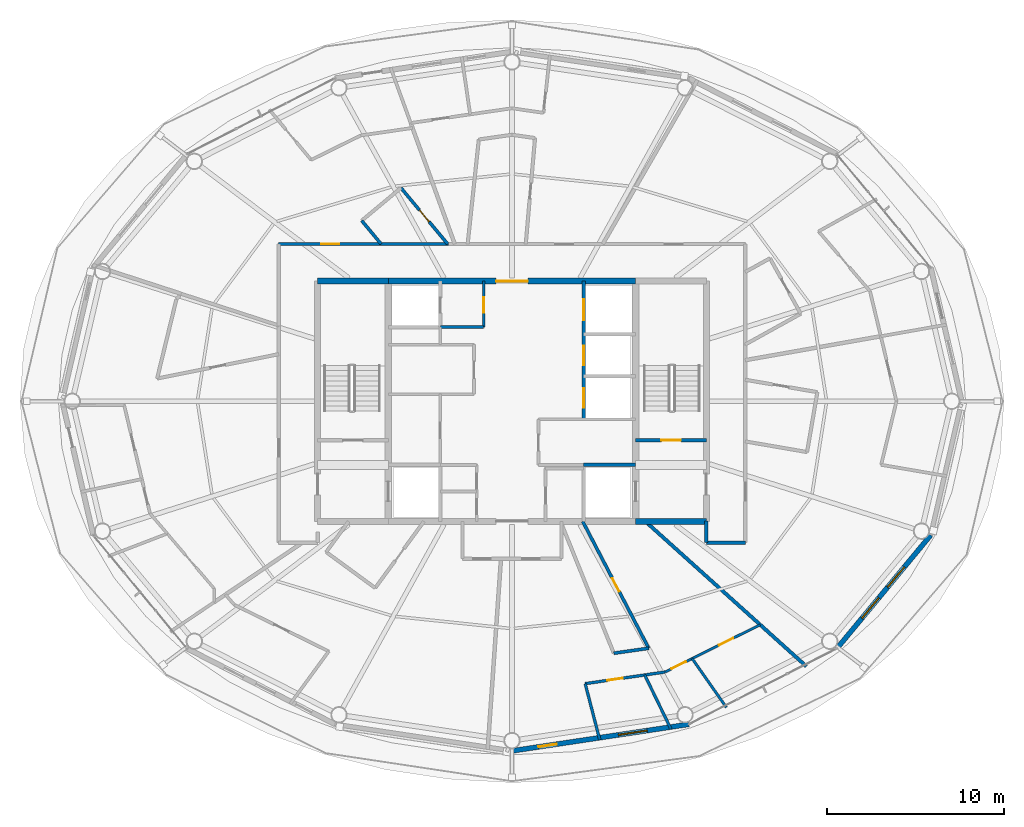
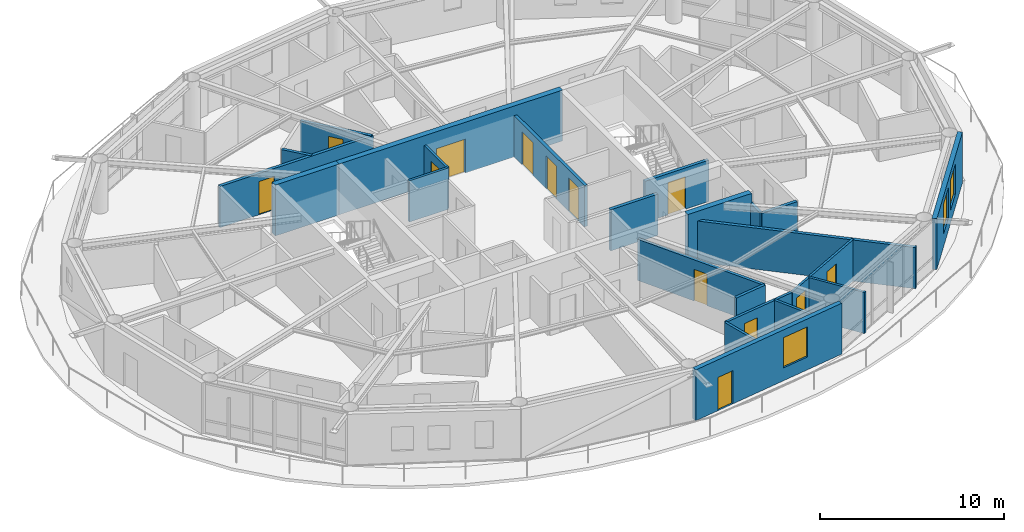
# One storey, part 17 of 22: 23 walls, 13 doors, 3 windows, 16 openings.
"""IFC4 building model written with IfcOpenShell, lengths in metres."""

from ifc_helpers import new_model, si_unit, direction, frame, frame_2d, origin, place, context, subcontext, project, spatial, rectangle, extrude, material, layer, layer_set, type_object, element, fill, save


model = new_model("IFC4")

# Units and contexts
model_context = context("Model", 3, precision=1e-05, world=origin(), true_north=direction((0.0, 1.0)))
body_context = subcontext(model_context, "Body", "Model", "MODEL_VIEW")
ifc_project = project(units=[si_unit("LENGTHUNIT", "METRE"), si_unit("AREAUNIT", "SQUARE_METRE"), si_unit("VOLUMEUNIT", "CUBIC_METRE"), si_unit("PLANEANGLEUNIT", "RADIAN"), si_unit("MASSUNIT", "GRAM", prefix="KILO")], contexts=[model_context])

# Site, building, storey
site_placement = place(None, origin())
site = spatial("IfcSite", under=ifc_project, at=site_placement, CompositionType="ELEMENT")
building_placement = place(site_placement, origin())
building = spatial("IfcBuilding", under=site, at=building_placement, Name="Sarneth Arch Tower", CompositionType="ELEMENT")
storey_placement = place(building_placement, frame((0.0, 0.0, 294.60009765625)))
storey = spatial("IfcBuildingStorey", under=building, at=storey_placement, Name="L76", CompositionType="ELEMENT", Elevation=294.60009765625)

# Walls
ifc_material_1 = material(Name="Concrete C50/60", Category="concrete")
ifc_layer_1 = layer(ifc_material_1, 0.35009765625)
ifc_layer_set_1 = layer_set([ifc_layer_1], Name="Concrete C50/60")
wall_type_1 = type_object("IfcWallType", Name="WALL-CORE-350", PredefinedType="SHEAR", material=ifc_layer_set_1)
for number, where, z_axis, x_axis, name in (
    (1, (55.0, 35.199951171875, 0.0), (0.0, 0.0, 1.0), (1.0, 0.0, 0.0), "L76 Core shear wall S-E"),
    (2, (37.0, 48.800048828125, 0.0), (0.0, 0.0, 1.0), (1.0, 0.0, 0.0), "L76 Core shear wall N-W"),
):
    element("IfcWall", number, at=place(storey_placement, frame(where, z_axis=z_axis, x_axis=x_axis)), inside=storey, type_object=wall_type_1, Name=name, PredefinedType="SHEAR", context=body_context, shape_type="SweptSolid", body=[
        extrude(rectangle(XDim=4.0, YDim=0.35009765625, at=frame_2d((2.0, 0.0))), origin(), (0.0, 0.0, 1.0), 3.369873046875),
    ])

# Wall, opening, door
wall_1_placement = place(storey_placement, frame((41.0, 48.800048828125, 0.0), z_axis=(0.0, 0.0, 1.0), x_axis=(1.0, 0.0, 0.0)))
wall_1 = element("IfcWall", 3, at=wall_1_placement, inside=storey, type_object=wall_type_1, Name="L76 Core shear wall N-M", PredefinedType="SHEAR", context=body_context, shape_type="SweptSolid", body=[
    extrude(rectangle(XDim=14.0, YDim=0.35009765625, at=frame_2d((7.0, 0.0))), origin(), (0.0, 0.0, 1.0), 3.369873046875),
])
opening_1_placement = place(wall_1_placement, frame((6.10009765625, 0.0, 0.0)))
opening_1 = element("IfcOpeningElement", 4, at=opening_1_placement, cuts=wall_1, Name="Opening FD-01", PredefinedType="OPENING", context=body_context, shape_type="SweptSolid", body=[
    extrude(rectangle(XDim=1.800048828125, YDim=2.25, at=frame_2d((0.89990234375, 1.125))), frame((0.0, 0.18505859375, 0.0), z_axis=(0.0, -1.0, 0.0), x_axis=(1.0, 0.0, 0.0)), (0.0, 0.0, 1.0), 0.3701171875),
])
ifc_material_2 = material(Name="Galvanised Steel S275 fire door set", Category="steel")
door_type_1 = type_object("IfcDoorType", Name="DR-FD90-1800", OperationType="DOUBLE_DOOR_SINGLE_SWING", PredefinedType="DOOR", material=ifc_material_2)
door_1_placement = place(opening_1_placement, origin())
door_1 = element("IfcDoor", 5, at=door_1_placement, inside=storey, type_object=door_type_1, Name="L76 Central lift lobby north door", OperationType="DOUBLE_DOOR_SINGLE_SWING", OverallHeight=2.25, OverallWidth=1.800048828125, PredefinedType="DOOR", context=body_context, shape_type="SweptSolid", body=[
    extrude(rectangle(XDim=1.800048828125, YDim=2.25, at=frame_2d((0.89990234375, 1.125))), frame((0.0, 0.02490234375, 0.0), z_axis=(0.0, -1.0, 0.0), x_axis=(1.0, 0.0, 0.0)), (0.0, 0.0, 1.0), 0.050048828125),
])
fill(opening_1, door_1)

ifc_material_3 = material(Name="Double steel-stud corridor fire wall", Category="steel")
ifc_layer_2 = layer(ifc_material_3, 0.18994140625)
ifc_layer_set_2 = layer_set([ifc_layer_2], Name="Double steel-stud corridor fire wall")
wall_type_2 = type_object("IfcWallType", Name="WALL-CORR-190", PredefinedType="PARTITIONING", material=ifc_layer_set_2)
wall_2_placement = place(storey_placement, frame((34.800048828125, 50.89990234375, 0.0), z_axis=(0.0, 0.0, 1.0), x_axis=(1.0, 0.0, 0.0)))
wall_2 = element("IfcWall", 6, at=wall_2_placement, inside=storey, type_object=wall_type_2, Name="L76 Interior partition W-L76-TP-009", PredefinedType="PARTITIONING", context=body_context, shape_type="SweptSolid", body=[
    extrude(rectangle(XDim=9.6005859375, YDim=0.18994140625, at=frame_2d((4.80029296875, 0.0))), origin(), (0.0, 0.0, 1.0), 2.72998046875),
])
opening_2_placement = place(wall_2_placement, frame((2.41845703125, 0.0, 0.0)))
opening_2 = element("IfcOpeningElement", 7, at=opening_2_placement, cuts=wall_2, Name="Opening FD-08", PredefinedType="OPENING", context=body_context, shape_type="SweptSolid", body=[
    extrude(rectangle(XDim=1.0, YDim=2.199951171875, at=frame_2d((0.5, 1.10009765625))), frame((0.0, 0.10498046875, 0.0), z_axis=(0.0, -1.0, 0.0), x_axis=(1.0, 0.0, 0.0)), (0.0, 0.0, 1.0), 0.2099609375),
])
ifc_material_4 = material(Name="Hardwood timber acoustic fire door", Category="wood")
door_type_2 = type_object("IfcDoorType", Name="DR-FD60-1000", OperationType="SINGLE_SWING_LEFT", PredefinedType="DOOR", material=ifc_material_4)
door_2_placement = place(opening_2_placement, origin())
door_2 = element("IfcDoor", 8, at=door_2_placement, inside=storey, type_object=door_type_2, Name="L76 Interior door DR-L76-U3-ENT", OperationType="SINGLE_SWING_RIGHT", OverallHeight=2.199951171875, OverallWidth=1.0, PredefinedType="DOOR", context=body_context, shape_type="SweptSolid", body=[
    extrude(rectangle(XDim=1.0, YDim=2.199951171875, at=frame_2d((0.5, 1.10009765625))), frame((0.0, 0.02490234375, 0.0), z_axis=(0.0, -1.0, 0.0), x_axis=(1.0, 0.0, 0.0)), (0.0, 0.0, 1.0), 0.050048828125),
])
fill(opening_2, door_2)

# Walls
wall_3_placement = place(storey_placement, frame((61.199951171875, 34.0, 0.0), z_axis=(0.0, 0.0, 1.0), x_axis=(-1.0, 0.0, 0.0)))
element("IfcWall", 9, at=wall_3_placement, inside=storey, type_object=wall_type_2, Name="L76 Interior partition W-L76-TP-018", PredefinedType="PARTITIONING", context=body_context, shape_type="SweptSolid", body=[
    extrude(rectangle(XDim=2.199951171875, YDim=0.18994140625, at=frame_2d((1.10009765625, 0.0))), origin(), (0.0, 0.0, 1.0), 2.72998046875),
])
wall_4_placement = place(storey_placement, frame((59.0, 34.0, 0.0), z_axis=(0.0, 0.0, 1.0), x_axis=(0.0, 1.0, 0.0)))
element("IfcWall", 10, at=wall_4_placement, inside=storey, type_object=wall_type_2, Name="L76 Interior partition W-L76-TP-019", PredefinedType="PARTITIONING", context=body_context, shape_type="SweptSolid", body=[
    extrude(rectangle(XDim=1.23193359375, YDim=0.18994140625, at=frame_2d((0.615966796875, 0.0))), origin(), (0.0, 0.0, 1.0), 2.72998046875),
])

# Wall, openings, door, window
ifc_material_5 = material(Name="Extruded terracotta rainscreen on Concrete C40/50 backing", Category="masonry")
ifc_layer_3 = layer(ifc_material_5, 0.280029296875)
ifc_layer_set_3 = layer_set([ifc_layer_3], Name="Extruded terracotta rainscreen on Concrete C40/50 backing")
wall_type_3 = type_object("IfcWallType", Name="WALL-EXT-TERRA-280", PredefinedType="SOLIDWALL", material=ifc_layer_set_3)
wall_5_placement = place(storey_placement, frame((48.0, 22.219970703125, 0.0), z_axis=(0.0, 0.0, 1.0), x_axis=(0.988882522213, 0.148698881169, 0.0)))
wall_5 = element("IfcWall", 11, at=wall_5_placement, inside=storey, type_object=wall_type_3, Name="L76 Terracotta perimeter wall 13", PredefinedType="SOLIDWALL", context=body_context, shape_type="SweptSolid", body=[
    extrude(rectangle(XDim=10.125244140625, YDim=0.280029296875, at=frame_2d((5.0625, 0.0))), origin(), (0.0, 0.0, 1.0), 3.369873046875),
])
opening_3_placement = place(wall_5_placement, frame((1.51611328125, 0.0, 0.0)))
opening_3 = element("IfcOpeningElement", 12, at=opening_3_placement, cuts=wall_5, Name="Opening BD-4", PredefinedType="OPENING", context=body_context, shape_type="SweptSolid", body=[
    extrude(rectangle(XDim=1.050048828125, YDim=2.199951171875, at=frame_2d((0.52490234375, 1.10009765625))), frame((0.0, 0.14990234375, 0.0), z_axis=(0.0, -1.0, 0.0), x_axis=(1.0, 0.0, 0.0)), (0.0, 0.0, 1.0), 0.300048828125),
])
opening_4_placement = place(wall_5_placement, frame((6.093994140625, 0.0, 0.85009765625)))
opening_4 = element("IfcOpeningElement", 13, at=opening_4_placement, cuts=wall_5, Name="Opening W-05", PredefinedType="OPENING", context=body_context, shape_type="SweptSolid", body=[
    extrude(rectangle(XDim=1.64990234375, YDim=2.0, at=frame_2d((0.824951171875, 1.0))), frame((0.0, 0.14990234375, 0.0), z_axis=(0.0, -1.0, 0.0), x_axis=(1.0, 0.0, 0.0)), (0.0, 0.0, 1.0), 0.300048828125),
])
ifc_material_6 = material(Name="Thermally broken Aluminium 6063-T6 and laminated safety glass", Category="aluminium")
door_type_3 = type_object("IfcDoorType", Name="DR-BALC-GLZ-1050", OperationType="SINGLE_SWING_RIGHT", PredefinedType="DOOR", material=ifc_material_6)
door_3_placement = place(opening_3_placement, origin())
door_3 = element("IfcDoor", 14, at=door_3_placement, inside=storey, type_object=door_type_3, Name="L76 Balcony glazed door 13", OperationType="SINGLE_SWING_RIGHT", OverallHeight=2.199951171875, OverallWidth=1.050048828125, PredefinedType="DOOR", context=body_context, shape_type="SweptSolid", body=[
    extrude(rectangle(XDim=1.050048828125, YDim=2.199951171875, at=frame_2d((0.52490234375, 1.10009765625))), frame((0.0, 0.02490234375, 0.0), z_axis=(0.0, -1.0, 0.0), x_axis=(1.0, 0.0, 0.0)), (0.0, 0.0, 1.0), 0.050048828125),
])
fill(opening_3, door_3)
ifc_material_7 = material(Name="Thermally broken Aluminium 6063-T6 and low-e laminated IGU", Category="aluminium")
window_type_1 = type_object("IfcWindowType", Name="WIN-TWR-1650x2000", PartitioningType="DOUBLE_PANEL_VERTICAL", PredefinedType="WINDOW", material=ifc_material_7)
window_1_placement = place(opening_4_placement, origin())
window_1 = element("IfcWindow", 15, at=window_1_placement, inside=storey, type_object=window_type_1, Name="L76 Exterior window 13A", OverallHeight=2.0, OverallWidth=1.64990234375, PartitioningType="SINGLE_PANEL", PredefinedType="WINDOW", context=body_context, shape_type="SweptSolid", body=[
    extrude(rectangle(XDim=1.64990234375, YDim=2.0, at=frame_2d((0.824951171875, 1.0))), frame((0.0, 0.030029296875, 0.0), z_axis=(0.0, -1.0, 0.0), x_axis=(1.0, 0.0, 0.0)), (0.0, 0.0, 1.0), 0.06005859375),
])
fill(opening_4, window_1)

# Wall, openings, windows
wall_6_placement = place(storey_placement, frame((66.382568359375, 28.013427734375, 0.0), z_axis=(0.0, 0.0, 1.0), x_axis=(0.63761509934, 0.770355103243, 0.0)))
wall_6 = element("IfcWall", 16, at=wall_6_placement, inside=storey, type_object=wall_type_3, Name="L76 Terracotta perimeter wall 15", PredefinedType="SOLIDWALL", context=body_context, shape_type="SweptSolid", body=[
    extrude(rectangle(XDim=8.329833984375, YDim=0.280029296875, at=frame_2d((4.1650390625, 0.0))), origin(), (0.0, 0.0, 1.0), 3.369873046875),
])
opening_5_placement = place(wall_6_placement, frame((2.226318359375, 0.0, 0.85009765625)))
opening_5 = element("IfcOpeningElement", 17, at=opening_5_placement, cuts=wall_6, Name="Opening W-06", PredefinedType="OPENING", context=body_context, shape_type="SweptSolid", body=[
    extrude(rectangle(XDim=1.5, YDim=2.0, at=frame_2d((0.75, 1.0))), frame((0.0, 0.14990234375, 0.0), z_axis=(0.0, -1.0, 0.0), x_axis=(1.0, 0.0, 0.0)), (0.0, 0.0, 1.0), 0.300048828125),
])
opening_6_placement = place(wall_6_placement, frame((4.496337890625, 0.0, 0.85009765625)))
opening_6 = element("IfcOpeningElement", 18, at=opening_6_placement, cuts=wall_6, Name="Opening W-06", PredefinedType="OPENING", context=body_context, shape_type="SweptSolid", body=[
    extrude(rectangle(XDim=1.5, YDim=2.0, at=frame_2d((0.75, 1.0))), frame((0.0, 0.14990234375, 0.0), z_axis=(0.0, -1.0, 0.0), x_axis=(1.0, 0.0, 0.0)), (0.0, 0.0, 1.0), 0.300048828125),
])
ifc_material_8 = material(Name="Thermally broken Aluminium 6063-T6 and low-e laminated IGU", Category="aluminium")
window_type_2 = type_object("IfcWindowType", Name="WIN-TWR-1500x2000", PartitioningType="SINGLE_PANEL", PredefinedType="WINDOW", material=ifc_material_8)
window_2_placement = place(opening_5_placement, origin())
window_2 = element("IfcWindow", 19, at=window_2_placement, inside=storey, type_object=window_type_2, Name="L76 Exterior window 15A", OverallHeight=2.0, OverallWidth=1.5, PartitioningType="SINGLE_PANEL", PredefinedType="WINDOW", context=body_context, shape_type="SweptSolid", body=[
    extrude(rectangle(XDim=1.5, YDim=2.0, at=frame_2d((0.75, 1.0))), frame((0.0, 0.030029296875, 0.0), z_axis=(0.0, -1.0, 0.0), x_axis=(1.0, 0.0, 0.0)), (0.0, 0.0, 1.0), 0.06005859375),
])
fill(opening_5, window_2)
window_3_placement = place(opening_6_placement, origin())
window_3 = element("IfcWindow", 20, at=window_3_placement, inside=storey, type_object=window_type_2, Name="L76 Exterior window 15B", OverallHeight=2.0, OverallWidth=1.5, PartitioningType="SINGLE_PANEL", PredefinedType="WINDOW", context=body_context, shape_type="SweptSolid", body=[
    extrude(rectangle(XDim=1.5, YDim=2.0, at=frame_2d((0.75, 1.0))), frame((0.0, 0.030029296875, 0.0), z_axis=(0.0, -1.0, 0.0), x_axis=(1.0, 0.0, 0.0)), (0.0, 0.0, 1.0), 0.06005859375),
])
fill(opening_6, window_3)

# Wall, openings, doors
ifc_material_9 = material(Name="Apartment internal stud partition", Category="gypsum")
ifc_layer_4 = layer(ifc_material_9, 0.139892578125)
ifc_layer_set_4 = layer_set([ifc_layer_4], Name="Apartment internal stud partition")
wall_type_4 = type_object("IfcWallType", Name="WALL-PART-140", PredefinedType="PARTITIONING", material=ifc_layer_set_4)
wall_7_placement = place(storey_placement, frame((56.65478515625, 26.68212890625, 0.0), z_axis=(0.0, 0.0, 1.0), x_axis=(0.895585218268, 0.444890005304, 0.0)))
wall_7 = element("IfcWall", 21, at=wall_7_placement, inside=storey, type_object=wall_type_4, Name="L76 Interior partition W-L76-TP-084", PredefinedType="PARTITIONING", context=body_context, shape_type="SweptSolid", body=[
    extrude(rectangle(XDim=6.013916015625, YDim=0.139892578125, at=frame_2d((3.0068359375, 0.0))), origin(), (0.0, 0.0, 1.0), 2.72998046875),
])
opening_7_placement = place(wall_7_placement, frame((3.414794921875, 0.0, 0.0)))
opening_7 = element("IfcOpeningElement", 22, at=opening_7_placement, cuts=wall_7, Name="Opening ID-01", PredefinedType="OPENING", context=body_context, shape_type="SweptSolid", body=[
    extrude(rectangle(XDim=0.89990234375, YDim=2.10009765625, at=frame_2d((0.449951171875, 1.050048828125))), frame((0.0, 0.079833984375, 0.0), z_axis=(0.0, -1.0, 0.0), x_axis=(1.0, 0.0, 0.0)), (0.0, 0.0, 1.0), 0.159912109375),
])
opening_8_placement = place(wall_7_placement, frame((0.424072265625, 0.0, 0.0)))
opening_8 = element("IfcOpeningElement", 23, at=opening_8_placement, cuts=wall_7, Name="Opening ID-01", PredefinedType="OPENING", context=body_context, shape_type="SweptSolid", body=[
    extrude(rectangle(XDim=0.89990234375, YDim=2.10009765625, at=frame_2d((0.449951171875, 1.050048828125))), frame((0.0, 0.079833984375, 0.0), z_axis=(0.0, -1.0, 0.0), x_axis=(1.0, 0.0, 0.0)), (0.0, 0.0, 1.0), 0.159912109375),
])
ifc_material_10 = material(Name="Engineered hardwood flush door", Category="wood")
door_type_4 = type_object("IfcDoorType", Name="DR-INT-900", OperationType="SINGLE_SWING_LEFT", PredefinedType="DOOR", material=ifc_material_10)
door_4_placement = place(opening_7_placement, origin())
door_4 = element("IfcDoor", 24, at=door_4_placement, inside=storey, type_object=door_type_4, Name="L76 Interior door DR-L76-U6-BED2", OperationType="SINGLE_SWING_RIGHT", OverallHeight=2.10009765625, OverallWidth=0.89990234375, PredefinedType="DOOR", context=body_context, shape_type="SweptSolid", body=[
    extrude(rectangle(XDim=0.89990234375, YDim=2.10009765625, at=frame_2d((0.449951171875, 1.050048828125))), frame((0.0, 0.02490234375, 0.0), z_axis=(0.0, -1.0, 0.0), x_axis=(1.0, 0.0, 0.0)), (0.0, 0.0, 1.0), 0.050048828125),
])
fill(opening_7, door_4)
door_5_placement = place(opening_8_placement, origin())
door_5 = element("IfcDoor", 25, at=door_5_placement, inside=storey, type_object=door_type_4, Name="L76 Interior door DR-L76-U6-BED1", OperationType="SINGLE_SWING_RIGHT", OverallHeight=2.10009765625, OverallWidth=0.89990234375, PredefinedType="DOOR", context=body_context, shape_type="SweptSolid", body=[
    extrude(rectangle(XDim=0.89990234375, YDim=2.10009765625, at=frame_2d((0.449951171875, 1.050048828125))), frame((0.0, 0.02490234375, 0.0), z_axis=(0.0, -1.0, 0.0), x_axis=(1.0, 0.0, 0.0)), (0.0, 0.0, 1.0), 0.050048828125),
])
fill(opening_8, door_5)

# Wall
ifc_material_11 = material(Name="Acoustic gypsum stud partition", Category="gypsum")
ifc_layer_5 = layer(ifc_material_11, 0.14990234375)
ifc_layer_set_5 = layer_set([ifc_layer_5], Name="Acoustic gypsum stud partition")
wall_type_5 = type_object("IfcWallType", Name="WALL-PART-150", PredefinedType="PARTITIONING", material=ifc_layer_set_5)
wall_8_placement = place(storey_placement, frame((43.949951171875, 46.199951171875, 0.0), z_axis=(0.0, 0.0, 1.0), x_axis=(1.0, 0.0, 0.0)))
element("IfcWall", 26, at=wall_8_placement, inside=storey, type_object=wall_type_5, Name="L76 Interior partition W-L76-CSUP3-S", PredefinedType="PARTITIONING", context=body_context, shape_type="SweptSolid", body=[
    extrude(rectangle(XDim=2.449951171875, YDim=0.14990234375, at=frame_2d((1.22509765625, 0.0))), origin(), (0.0, 0.0, 1.0), 2.72998046875),
])

# Wall, opening, door
wall_9_placement = place(storey_placement, frame((46.39990234375, 46.199951171875, 0.0), z_axis=(0.0, 0.0, 1.0), x_axis=(0.0, 1.0, 0.0)))
wall_9 = element("IfcWall", 27, at=wall_9_placement, inside=storey, type_object=wall_type_5, Name="L76 Interior partition W-L76-CSUP3-E", PredefinedType="PARTITIONING", context=body_context, shape_type="SweptSolid", body=[
    extrude(rectangle(XDim=2.60009765625, YDim=0.14990234375, at=frame_2d((1.300048828125, 0.0))), origin(), (0.0, 0.0, 1.0), 2.72998046875),
])
opening_9_placement = place(wall_9_placement, frame((0.800048828125, 0.0, 0.0)))
opening_9 = element("IfcOpeningElement", 28, at=opening_9_placement, cuts=wall_9, Name="Opening FD-10", PredefinedType="OPENING", context=body_context, shape_type="SweptSolid", body=[
    extrude(rectangle(XDim=0.89990234375, YDim=2.14990234375, at=frame_2d((0.449951171875, 1.074951171875))), frame((0.0, 0.0849609375, 0.0), z_axis=(0.0, -1.0, 0.0), x_axis=(1.0, 0.0, 0.0)), (0.0, 0.0, 1.0), 0.169921875),
])
ifc_material_12 = material(Name="Galvanised Steel S275 riser/service fire door", Category="steel")
door_type_5 = type_object("IfcDoorType", Name="DR-FD60-900", OperationType="SINGLE_SWING_LEFT", PredefinedType="DOOR", material=ifc_material_12)
door_6_placement = place(opening_9_placement, origin())
door_6 = element("IfcDoor", 29, at=door_6_placement, inside=storey, type_object=door_type_5, Name="L76 Interior door DR-L76-CSUP3", OperationType="SINGLE_SWING_LEFT", OverallHeight=2.14990234375, OverallWidth=0.89990234375, PredefinedType="DOOR", context=body_context, shape_type="SweptSolid", body=[
    extrude(rectangle(XDim=0.89990234375, YDim=2.14990234375, at=frame_2d((0.449951171875, 1.074951171875))), frame((0.0, 0.02490234375, 0.0), z_axis=(0.0, -1.0, 0.0), x_axis=(1.0, 0.0, 0.0)), (0.0, 0.0, 1.0), 0.050048828125),
])
fill(opening_9, door_6)

# Wall
wall_10_placement = place(storey_placement, frame((58.19140625, 27.4453125, 0.0), z_axis=(0.0, 0.0, 1.0), x_axis=(0.573559302344, -0.819164041383, 0.0)))
element("IfcWall", 30, at=wall_10_placement, inside=storey, type_object=wall_type_5, Name="L76 Interior partition W-L76-TP-087", PredefinedType="PARTITIONING", context=body_context, shape_type="SweptSolid", body=[
    extrude(rectangle(XDim=3.379638671875, YDim=0.14990234375, at=frame_2d((1.68994140625, 0.0))), origin(), (0.0, 0.0, 1.0), 2.72998046875),
])

# Wall, opening, door
ifc_material_13 = material(Name="Kitchen wet service chase wall", Category="gypsum")
ifc_layer_6 = layer(ifc_material_13, 0.159912109375)
ifc_layer_set_6 = layer_set([ifc_layer_6], Name="Kitchen wet service chase wall")
wall_type_6 = type_object("IfcWallType", Name="WALL-PLUMB-160", PredefinedType="PLUMBINGWALL", material=ifc_layer_set_6)
wall_11_placement = place(storey_placement, frame((52.14111328125, 26.02392578125, 0.0), z_axis=(0.0, 0.0, 1.0), x_axis=(0.989534254842, 0.144298158322, 0.0)))
wall_11 = element("IfcWall", 31, at=wall_11_placement, inside=storey, type_object=wall_type_6, Name="L76 Interior partition W-L76-TP-078", PredefinedType="PLUMBINGWALL", context=body_context, shape_type="SweptSolid", body=[
    extrude(rectangle(XDim=4.5615234375, YDim=0.159912109375, at=frame_2d((2.28076171875, 0.0))), origin(), (0.0, 0.0, 1.0), 2.72998046875),
])
opening_10_placement = place(wall_11_placement, frame((1.252197265625, 0.0, 0.0)))
opening_10 = element("IfcOpeningElement", 32, at=opening_10_placement, cuts=wall_11, Name="Opening ID-01", PredefinedType="OPENING", context=body_context, shape_type="SweptSolid", body=[
    extrude(rectangle(XDim=0.89990234375, YDim=2.10009765625, at=frame_2d((0.449951171875, 1.050048828125))), frame((0.0, 0.08984375, 0.0), z_axis=(0.0, -1.0, 0.0), x_axis=(1.0, 0.0, 0.0)), (0.0, 0.0, 1.0), 0.179931640625),
])
door_7_placement = place(opening_10_placement, origin())
door_7 = element("IfcDoor", 33, at=door_7_placement, inside=storey, type_object=door_type_4, Name="L76 Interior door DR-L76-U6-KIT", OperationType="SINGLE_SWING_LEFT", OverallHeight=2.10009765625, OverallWidth=0.89990234375, PredefinedType="DOOR", context=body_context, shape_type="SweptSolid", body=[
    extrude(rectangle(XDim=0.89990234375, YDim=2.10009765625, at=frame_2d((0.449951171875, 1.050048828125))), frame((0.0, 0.02490234375, 0.0), z_axis=(0.0, -1.0, 0.0), x_axis=(1.0, 0.0, 0.0)), (0.0, 0.0, 1.0), 0.050048828125),
])
fill(opening_10, door_7)

# Walls
wall_12_placement = place(storey_placement, frame((55.509765625, 26.51513671875, 0.0), z_axis=(0.0, 0.0, 1.0), x_axis=(0.436379231312, -0.899762839019, 0.0)))
element("IfcWall", 34, at=wall_12_placement, inside=storey, type_object=wall_type_6, Name="L76 Interior partition W-L76-TP-086", PredefinedType="PLUMBINGWALL", context=body_context, shape_type="SweptSolid", body=[
    extrude(rectangle(XDim=3.3994140625, YDim=0.159912109375, at=frame_2d((1.69970703125, 0.0))), origin(), (0.0, 0.0, 1.0), 2.72998046875),
])
wall_13_placement = place(storey_placement, frame((52.96484375, 22.845947265625, 0.0), z_axis=(0.0, 0.0, 1.0), x_axis=(-0.250907961693, 0.968010947644, 0.0)))
element("IfcWall", 35, at=wall_13_placement, inside=storey, type_object=wall_type_6, Name="L76 Interior partition W-L76-TP-077", PredefinedType="PLUMBINGWALL", context=body_context, shape_type="SweptSolid", body=[
    extrude(rectangle(XDim=3.282958984375, YDim=0.159912109375, at=frame_2d((1.6416015625, 0.0))), origin(), (0.0, 0.0, 1.0), 2.72998046875),
])

# Wall, opening, door
ifc_material_14 = material(Name="Moisture-resistant plumbing chase wall", Category="gypsum")
ifc_layer_7 = layer(ifc_material_14, 0.179931640625)
ifc_layer_set_7 = layer_set([ifc_layer_7], Name="Moisture-resistant plumbing chase wall")
wall_type_7 = type_object("IfcWallType", Name="WALL-PLUMB-180", PredefinedType="PLUMBINGWALL", material=ifc_layer_set_7)
wall_14_placement = place(storey_placement, frame((55.735595703125, 28.026611328125, 0.0), z_axis=(0.0, 0.0, 1.0), x_axis=(-0.461598928477, 0.88708873808, 0.0)))
wall_14 = element("IfcWall", 36, at=wall_14_placement, inside=storey, type_object=wall_type_7, Name="L76 Interior partition W-L76-TP-081", PredefinedType="PLUMBINGWALL", context=body_context, shape_type="SweptSolid", body=[
    extrude(rectangle(XDim=8.08642578125, YDim=0.179931640625, at=frame_2d((4.043212890625, 0.0))), origin(), (0.0, 0.0, 1.0), 2.72998046875),
])
opening_11_placement = place(wall_14_placement, frame((3.6181640625, 0.0, 0.0)))
opening_11 = element("IfcOpeningElement", 37, at=opening_11_placement, cuts=wall_14, Name="Opening ID-02", PredefinedType="OPENING", context=body_context, shape_type="SweptSolid", body=[
    extrude(rectangle(XDim=0.85009765625, YDim=2.10009765625, at=frame_2d((0.425048828125, 1.050048828125))), frame((0.0, 0.099853515625, 0.0), z_axis=(0.0, -1.0, 0.0), x_axis=(1.0, 0.0, 0.0)), (0.0, 0.0, 1.0), 0.199951171875),
])
ifc_material_15 = material(Name="Moisture-resistant bathroom timber door", Category="wood")
door_type_6 = type_object("IfcDoorType", Name="DR-INT-850", OperationType="SINGLE_SWING_RIGHT", PredefinedType="DOOR", material=ifc_material_15)
door_8_placement = place(opening_11_placement, origin())
door_8 = element("IfcDoor", 38, at=door_8_placement, inside=storey, type_object=door_type_6, Name="L76 Interior door DR-L76-U6-BATH", OperationType="SINGLE_SWING_LEFT", OverallHeight=2.10009765625, OverallWidth=0.85009765625, PredefinedType="DOOR", context=body_context, shape_type="SweptSolid", body=[
    extrude(rectangle(XDim=0.85009765625, YDim=2.10009765625, at=frame_2d((0.425048828125, 1.050048828125))), frame((0.0, 0.02490234375, 0.0), z_axis=(0.0, -1.0, 0.0), x_axis=(1.0, 0.0, 0.0)), (0.0, 0.0, 1.0), 0.050048828125),
])
fill(opening_11, door_8)

wall_15_placement = place(storey_placement, frame((41.719970703125, 54.072021484375, 0.0), z_axis=(0.0, 0.0, 1.0), x_axis=(0.639538183981, -0.768759332451, 0.0)))
wall_15 = element("IfcWall", 39, at=wall_15_placement, inside=storey, type_object=wall_type_7, Name="L76 Interior partition W-L76-TP-050", PredefinedType="PLUMBINGWALL", context=body_context, shape_type="SweptSolid", body=[
    extrude(rectangle(XDim=4.126220703125, YDim=0.179931640625, at=frame_2d((2.06298828125, 0.0))), origin(), (0.0, 0.0, 1.0), 2.72998046875),
])
opening_12_placement = place(wall_15_placement, frame((1.63818359375, 0.0, 0.0)))
opening_12 = element("IfcOpeningElement", 40, at=opening_12_placement, cuts=wall_15, Name="Opening ID-02", PredefinedType="OPENING", context=body_context, shape_type="SweptSolid", body=[
    extrude(rectangle(XDim=0.85009765625, YDim=2.10009765625, at=frame_2d((0.425048828125, 1.050048828125))), frame((0.0, 0.099853515625, 0.0), z_axis=(0.0, -1.0, 0.0), x_axis=(1.0, 0.0, 0.0)), (0.0, 0.0, 1.0), 0.199951171875),
])
door_9_placement = place(opening_12_placement, origin())
door_9 = element("IfcDoor", 41, at=door_9_placement, inside=storey, type_object=door_type_6, Name="L76 Interior door DR-L76-U3-BATH", OperationType="SINGLE_SWING_RIGHT", OverallHeight=2.10009765625, OverallWidth=0.85009765625, PredefinedType="DOOR", context=body_context, shape_type="SweptSolid", body=[
    extrude(rectangle(XDim=0.85009765625, YDim=2.10009765625, at=frame_2d((0.425048828125, 1.050048828125))), frame((0.0, 0.02490234375, 0.0), z_axis=(0.0, -1.0, 0.0), x_axis=(1.0, 0.0, 0.0)), (0.0, 0.0, 1.0), 0.050048828125),
])
fill(opening_12, door_9)

# Walls
wall_16_placement = place(storey_placement, frame((53.759765625, 27.743896484375, 0.0), z_axis=(0.0, 0.0, 1.0), x_axis=(0.989917666011, 0.141643970992, 0.0)))
element("IfcWall", 42, at=wall_16_placement, inside=storey, type_object=wall_type_7, Name="L76 Interior partition W-L76-TP-080", PredefinedType="PLUMBINGWALL", context=body_context, shape_type="SweptSolid", body=[
    extrude(rectangle(XDim=1.995849609375, YDim=0.179931640625, at=frame_2d((0.998046875, 0.0))), origin(), (0.0, 0.0, 1.0), 2.72998046875),
])
wall_17_placement = place(storey_placement, frame((40.59521484375, 50.89990234375, 0.0), z_axis=(0.0, 0.0, 1.0), x_axis=(-0.639527602533, 0.768768135135, 0.0)))
element("IfcWall", 43, at=wall_17_placement, inside=storey, type_object=wall_type_7, Name="L76 Interior partition W-L76-TP-048", PredefinedType="PLUMBINGWALL", context=body_context, shape_type="SweptSolid", body=[
    extrude(rectangle(XDim=1.718994140625, YDim=0.179931640625, at=frame_2d((0.859375, 0.0))), origin(), (0.0, 0.0, 1.0), 2.72998046875),
])

# Wall, opening, door
ifc_material_16 = material(Name="Aerated concrete blockwork C25/30", Category="masonry")
ifc_layer_8 = layer(ifc_material_16, 0.199951171875)
ifc_layer_set_8 = layer_set([ifc_layer_8], Name="Aerated concrete blockwork C25/30")
wall_type_8 = type_object("IfcWallType", Name="WALL-SHAFT-200", PredefinedType="SOLIDWALL", material=ifc_layer_set_8)
wall_18_placement = place(storey_placement, frame((55.0, 39.800048828125, 0.0), z_axis=(0.0, 0.0, 1.0), x_axis=(1.0, 0.0, 0.0)))
wall_18 = element("IfcWall", 44, at=wall_18_placement, inside=storey, type_object=wall_type_8, Name="L76 Interior partition W-L76-ST2-S", PredefinedType="SOLIDWALL", context=body_context, shape_type="SweptSolid", body=[
    extrude(rectangle(XDim=4.0, YDim=0.199951171875, at=frame_2d((2.0, 0.0))), origin(), (0.0, 0.0, 1.0), 2.72998046875),
])
opening_13_placement = place(wall_18_placement, frame((1.449951171875, 0.0, 0.0)))
opening_13 = element("IfcOpeningElement", 45, at=opening_13_placement, cuts=wall_18, Name="Opening FD-03", PredefinedType="OPENING", context=body_context, shape_type="SweptSolid", body=[
    extrude(rectangle(XDim=1.10009765625, YDim=2.14990234375, at=frame_2d((0.550048828125, 1.074951171875))), frame((0.0, 0.10986328125, 0.0), z_axis=(0.0, -1.0, 0.0), x_axis=(1.0, 0.0, 0.0)), (0.0, 0.0, 1.0), 0.219970703125),
])
ifc_material_17 = material(Name="Galvanised Steel S275 fire door set", Category="steel")
door_type_7 = type_object("IfcDoorType", Name="DR-FD90-1100", OperationType="SINGLE_SWING_LEFT", PredefinedType="DOOR", material=ifc_material_17)
door_10_placement = place(opening_13_placement, origin())
door_10 = element("IfcDoor", 46, at=door_10_placement, inside=storey, type_object=door_type_7, Name="L76 Interior door DR-L76-ST2", OperationType="SINGLE_SWING_RIGHT", OverallHeight=2.14990234375, OverallWidth=1.10009765625, PredefinedType="DOOR", context=body_context, shape_type="SweptSolid", body=[
    extrude(rectangle(XDim=1.10009765625, YDim=2.14990234375, at=frame_2d((0.550048828125, 1.074951171875))), frame((0.0, 0.02490234375, 0.0), z_axis=(0.0, -1.0, 0.0), x_axis=(1.0, 0.0, 0.0)), (0.0, 0.0, 1.0), 0.050048828125),
])
fill(opening_13, door_10)

# Wall
wall_19_placement = place(storey_placement, frame((52.050048828125, 38.39990234375, 0.0), z_axis=(0.0, 0.0, 1.0), x_axis=(1.0, 0.0, 0.0)))
element("IfcWall", 47, at=wall_19_placement, inside=storey, type_object=wall_type_8, Name="L76 Interior partition W-L76-FL2-N", PredefinedType="SOLIDWALL", context=body_context, shape_type="SweptSolid", body=[
    extrude(rectangle(XDim=2.949951171875, YDim=0.199951171875, at=frame_2d((1.47509765625, 0.0))), origin(), (0.0, 0.0, 1.0), 2.72998046875),
])

# Wall, openings, doors
wall_20_placement = place(storey_placement, frame((52.050048828125, 40.97998046875, 0.0), z_axis=(0.0, 0.0, 1.0), x_axis=(0.0, 1.0, 0.0)))
wall_20 = element("IfcWall", 48, at=wall_20_placement, inside=storey, type_object=wall_type_8, Name="L76 Interior partition W-L76-EASTBANK-UPPER", PredefinedType="SOLIDWALL", context=body_context, shape_type="SweptSolid", body=[
    extrude(rectangle(XDim=7.820068359375, YDim=0.199951171875, at=frame_2d((3.91015625, 0.0))), origin(), (0.0, 0.0, 1.0), 2.72998046875),
])
opening_14_placement = place(wall_20_placement, frame((0.64990234375, 0.0, 0.0)))
opening_14 = element("IfcOpeningElement", 49, at=opening_14_placement, cuts=wall_20, Name="Opening LD-1", PredefinedType="OPENING", context=body_context, shape_type="SweptSolid", body=[
    extrude(rectangle(XDim=1.10009765625, YDim=2.199951171875, at=frame_2d((0.550048828125, 1.10009765625))), frame((0.0, 0.10986328125, 0.0), z_axis=(0.0, -1.0, 0.0), x_axis=(1.0, 0.0, 0.0)), (0.0, 0.0, 1.0), 0.219970703125),
])
opening_15_placement = place(wall_20_placement, frame((3.050048828125, 0.0, 0.0)))
opening_15 = element("IfcOpeningElement", 50, at=opening_15_placement, cuts=wall_20, Name="Opening LD-1", PredefinedType="OPENING", context=body_context, shape_type="SweptSolid", body=[
    extrude(rectangle(XDim=1.10009765625, YDim=2.199951171875, at=frame_2d((0.550048828125, 1.10009765625))), frame((0.0, 0.10986328125, 0.0), z_axis=(0.0, -1.0, 0.0), x_axis=(1.0, 0.0, 0.0)), (0.0, 0.0, 1.0), 0.219970703125),
])
opening_16_placement = place(wall_20_placement, frame((5.60009765625, 0.0, 0.0)))
opening_16 = element("IfcOpeningElement", 51, at=opening_16_placement, cuts=wall_20, Name="Opening LD-2", PredefinedType="OPENING", context=body_context, shape_type="SweptSolid", body=[
    extrude(rectangle(XDim=1.199951171875, YDim=2.199951171875, at=frame_2d((0.60009765625, 1.10009765625))), frame((0.0, 0.10986328125, 0.0), z_axis=(0.0, -1.0, 0.0), x_axis=(1.0, 0.0, 0.0)), (0.0, 0.0, 1.0), 0.219970703125),
])
ifc_material_18 = material(Name="Brushed Stainless Steel 304 lift landing door", Category="steel")
door_type_8 = type_object("IfcDoorType", Name="DR-LIFT-SLIDE-1100", OperationType="SLIDING_TO_LEFT", PredefinedType="DOOR", material=ifc_material_18)
door_11_placement = place(opening_14_placement, origin())
door_11 = element("IfcDoor", 52, at=door_11_placement, inside=storey, type_object=door_type_8, Name="L76 Lift landing door DR-L76-LD-PH1", OperationType="SLIDING_TO_RIGHT", OverallHeight=2.199951171875, OverallWidth=1.10009765625, PredefinedType="DOOR", context=body_context, shape_type="SweptSolid", body=[
    extrude(rectangle(XDim=1.10009765625, YDim=2.199951171875, at=frame_2d((0.550048828125, 1.10009765625))), frame((0.0, 0.02490234375, 0.0), z_axis=(0.0, -1.0, 0.0), x_axis=(1.0, 0.0, 0.0)), (0.0, 0.0, 1.0), 0.050048828125),
])
fill(opening_14, door_11)
door_12_placement = place(opening_15_placement, origin())
door_12 = element("IfcDoor", 53, at=door_12_placement, inside=storey, type_object=door_type_8, Name="L76 Lift landing door DR-L76-LD-PH2", OperationType="SLIDING_TO_LEFT", OverallHeight=2.199951171875, OverallWidth=1.10009765625, PredefinedType="DOOR", context=body_context, shape_type="SweptSolid", body=[
    extrude(rectangle(XDim=1.10009765625, YDim=2.199951171875, at=frame_2d((0.550048828125, 1.10009765625))), frame((0.0, 0.02490234375, 0.0), z_axis=(0.0, -1.0, 0.0), x_axis=(1.0, 0.0, 0.0)), (0.0, 0.0, 1.0), 0.050048828125),
])
fill(opening_15, door_12)
ifc_material_19 = material(Name="Brushed Stainless Steel 304 service lift door", Category="steel")
door_type_9 = type_object("IfcDoorType", Name="DR-LIFT-SLIDE-1200", OperationType="SLIDING_TO_RIGHT", PredefinedType="DOOR", material=ifc_material_19)
door_13_placement = place(opening_16_placement, origin())
door_13 = element("IfcDoor", 54, at=door_13_placement, inside=storey, type_object=door_type_9, Name="L76 Lift landing door DR-L76-LD-SL1", OperationType="SLIDING_TO_RIGHT", OverallHeight=2.199951171875, OverallWidth=1.199951171875, PredefinedType="DOOR", context=body_context, shape_type="SweptSolid", body=[
    extrude(rectangle(XDim=1.199951171875, YDim=2.199951171875, at=frame_2d((0.60009765625, 1.10009765625))), frame((0.0, 0.02490234375, 0.0), z_axis=(0.0, -1.0, 0.0), x_axis=(1.0, 0.0, 0.0)), (0.0, 0.0, 1.0), 0.050048828125),
])
fill(opening_16, door_13)

# Wall
ifc_material_20 = material(Name="Double steel-stud acoustic drywall", Category="steel")
ifc_layer_9 = layer(ifc_material_20, 0.199951171875)
ifc_layer_set_9 = layer_set([ifc_layer_9], Name="Double steel-stud acoustic drywall")
wall_type_9 = type_object("IfcWallType", Name="WALL-UNIT-200", PredefinedType="PARTITIONING", material=ifc_layer_set_9)
wall_21_placement = place(storey_placement, frame((64.656005859375, 27.0029296875, 0.0), z_axis=(0.0, 0.0, 1.0), x_axis=(-0.743146474593, 0.669128774826, 0.0)))
element("IfcWall", 55, at=wall_21_placement, inside=storey, type_object=wall_type_9, Name="L76 Interior partition W-L76-TP-085", PredefinedType="PARTITIONING", context=body_context, shape_type="SweptSolid", body=[
    extrude(rectangle(XDim=12.250244140625, YDim=0.199951171875, at=frame_2d((6.125, 0.0))), origin(), (0.0, 0.0, 1.0), 2.72998046875),
])

save(model, "model.ifc")
